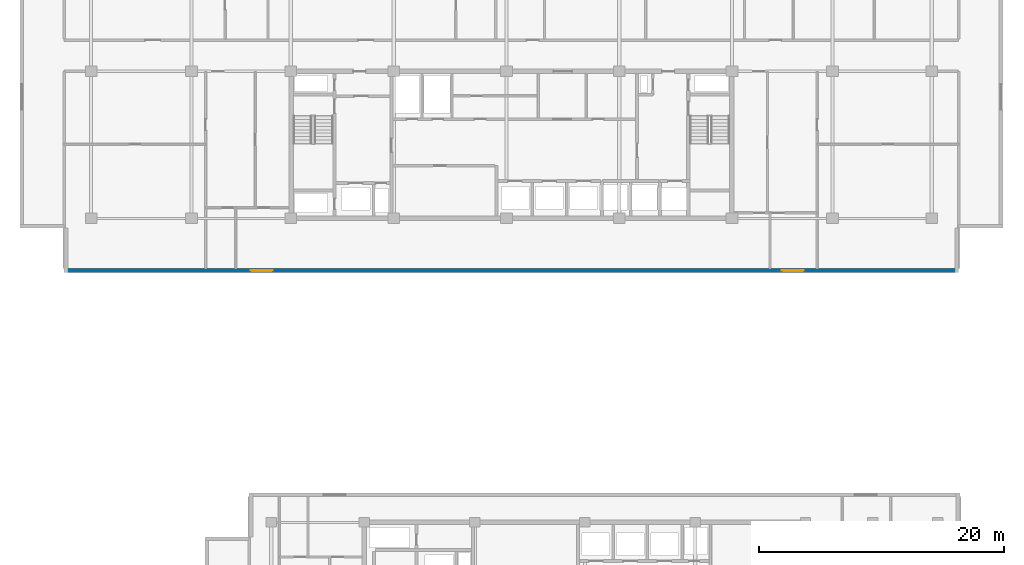
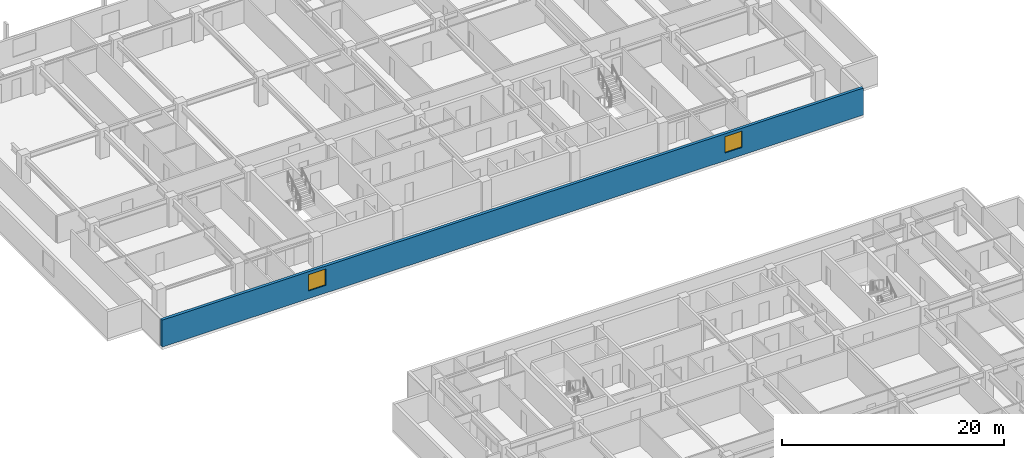
# One storey, part 9 of 22: 2 windows, 1 wall, 2 openings.
"""IFC4 building model written with IfcOpenShell, lengths in metres."""

from ifc_helpers import new_model, si_unit, direction, frame, frame_2d, origin, place, context, subcontext, project, spatial, rectangle, extrude, material, layer, layer_set, type_object, element, fill, save


model = new_model("IFC4")

# Units and contexts
model_context = context("Model", 3, precision=1e-05, world=origin(), true_north=direction((0.0, 1.0)))
body_context = subcontext(model_context, "Body", "Model", "MODEL_VIEW")
ifc_project = project(units=[si_unit("LENGTHUNIT", "METRE"), si_unit("AREAUNIT", "SQUARE_METRE"), si_unit("VOLUMEUNIT", "CUBIC_METRE"), si_unit("PLANEANGLEUNIT", "RADIAN"), si_unit("MASSUNIT", "GRAM", prefix="KILO")], contexts=[model_context])

# Site, building, storey
site_placement = place(None, origin())
site = spatial("IfcSite", under=ifc_project, at=site_placement, CompositionType="ELEMENT")
building_placement = place(site_placement, origin())
building = spatial("IfcBuilding", under=site, at=building_placement, Name="Korimba Cascade Residences", CompositionType="ELEMENT")
storey_placement = place(building_placement, frame((0.0, 0.0, 132.800048828125)))
storey = spatial("IfcBuildingStorey", under=building, at=storey_placement, Name="L38", CompositionType="ELEMENT", Elevation=132.800048828125)

# Wall, openings, windows
ifc_material_1 = material(Name="Precast concrete C40/50", Category="concrete")
ifc_layer = layer(ifc_material_1, 0.300048828125)
ifc_layer_set = layer_set([ifc_layer], Name="Precast concrete C40/50")
wall_type = type_object("IfcWallType", Name="EW-STONE-300", PredefinedType="STANDARD", material=ifc_layer_set)
wall_placement = place(storey_placement, frame((57.60009765625, 50.949951171875, 0.0), z_axis=(0.0, 0.0, 1.0), x_axis=(1.0, 0.0, 0.0)))
wall = element("IfcWall", 1, at=wall_placement, inside=storey, type_object=wall_type, Name="L38 T1 Perimeter Stone Wall E00", PredefinedType="STANDARD", context=body_context, shape_type="SweptSolid", body=[
    extrude(rectangle(XDim=73.0, YDim=0.300048828125, at=frame_2d((36.5, 0.0))), origin(), (0.0, 0.0, 1.0), 2.969970703125),
])
opening_1_placement = place(wall_placement, frame((15.22509765625, 0.0, 0.85009765625)))
opening_1 = element("IfcOpeningElement", 2, at=opening_1_placement, cuts=wall, Name="Opening W-02", PredefinedType="OPENING", context=body_context, shape_type="SweptSolid", body=[
    extrude(rectangle(XDim=1.800048828125, YDim=1.800048828125, at=frame_2d((0.89990234375, 0.89990234375))), frame((0.0, 0.16015625, 0.0), z_axis=(0.0, -1.0, 0.0), x_axis=(1.0, 0.0, 0.0)), (0.0, 0.0, 1.0), 0.320068359375),
])
opening_2_placement = place(wall_placement, frame((58.574951171875, 0.0, 0.85009765625)))
opening_2 = element("IfcOpeningElement", 3, at=opening_2_placement, cuts=wall, Name="Opening W-02", PredefinedType="OPENING", context=body_context, shape_type="SweptSolid", body=[
    extrude(rectangle(XDim=1.800048828125, YDim=1.800048828125, at=frame_2d((0.89990234375, 0.89990234375))), frame((0.0, 0.16015625, 0.0), z_axis=(0.0, -1.0, 0.0), x_axis=(1.0, 0.0, 0.0)), (0.0, 0.0, 1.0), 0.320068359375),
])
ifc_material_2 = material(Name="Double-Glazed Aluminium Window", Category="aluminium")
window_type = type_object("IfcWindowType", Name="WIN-BED-1800", PartitioningType="SINGLE_PANEL", PredefinedType="WINDOW", material=ifc_material_2)
window_1_placement = place(opening_1_placement, origin())
window_1 = element("IfcWindow", 4, at=window_1_placement, inside=storey, type_object=window_type, Name="L38 T1 South Corner Bedroom Window 1", OverallHeight=1.800048828125, OverallWidth=1.800048828125, PartitioningType="SINGLE_PANEL", PredefinedType="WINDOW", context=body_context, shape_type="SweptSolid", body=[
    extrude(rectangle(XDim=1.800048828125, YDim=1.800048828125, at=frame_2d((0.89990234375, 0.89990234375))), frame((0.0, 0.030029296875, 0.0), z_axis=(0.0, -1.0, 0.0), x_axis=(1.0, 0.0, 0.0)), (0.0, 0.0, 1.0), 0.06005859375),
])
fill(opening_1, window_1)
window_2_placement = place(opening_2_placement, origin())
window_2 = element("IfcWindow", 5, at=window_2_placement, inside=storey, type_object=window_type, Name="L38 T1 South Corner Bedroom Window 2", OverallHeight=1.800048828125, OverallWidth=1.800048828125, PartitioningType="SINGLE_PANEL", PredefinedType="WINDOW", context=body_context, shape_type="SweptSolid", body=[
    extrude(rectangle(XDim=1.800048828125, YDim=1.800048828125, at=frame_2d((0.89990234375, 0.89990234375))), frame((0.0, 0.030029296875, 0.0), z_axis=(0.0, -1.0, 0.0), x_axis=(1.0, 0.0, 0.0)), (0.0, 0.0, 1.0), 0.06005859375),
])
fill(opening_2, window_2)

save(model, "model.ifc")
